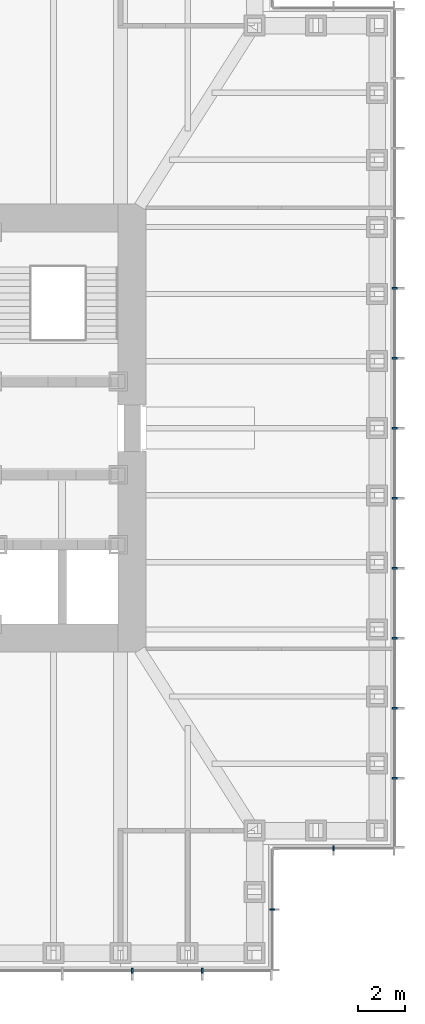
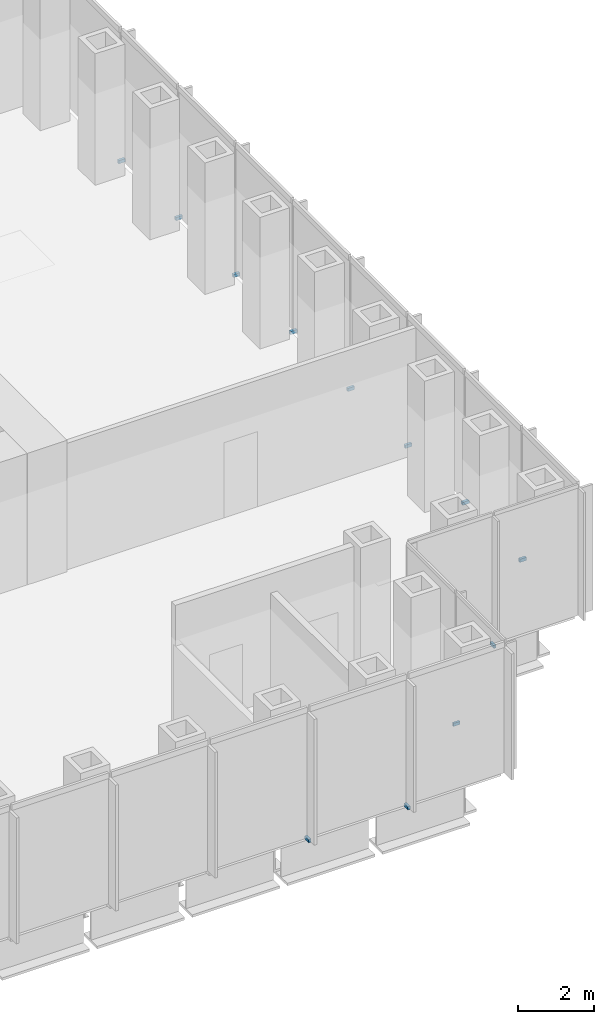
# One storey, part 13 of 16: 12 discrete accessories.
"""IFC4 building model written with IfcOpenShell, lengths in metres."""

from ifc_helpers import new_model, si_unit, direction, frame, origin, origin_2d, place, context, subcontext, project, spatial, rectangle, extrude, element, save


model = new_model("IFC4")

# Units and contexts
model_context = context("Model", 3, precision=1e-05, world=origin(), true_north=direction((0.0, 1.0)))
body_context = subcontext(model_context, "Body", "Model", "MODEL_VIEW")
ifc_project = project(units=[si_unit("LENGTHUNIT", "METRE"), si_unit("AREAUNIT", "SQUARE_METRE"), si_unit("VOLUMEUNIT", "CUBIC_METRE"), si_unit("PLANEANGLEUNIT", "RADIAN"), si_unit("MASSUNIT", "GRAM", prefix="KILO")], contexts=[model_context])

# Site, building, storey
site_placement = place(None, origin())
site = spatial("IfcSite", under=ifc_project, at=site_placement, CompositionType="ELEMENT")
building_placement = place(site_placement, origin())
building = spatial("IfcBuilding", under=site, at=building_placement, Name="Daluyong Arena Tower", CompositionType="ELEMENT")
storey_placement = place(building_placement, frame((0.0, 0.0, 116.5)))
storey = spatial("IfcBuildingStorey", under=building, at=storey_placement, Name="L25", CompositionType="ELEMENT", Elevation=116.5)

# Discrete accessories
for number, where, z_axis, x_axis, name in (
    (1, (68.0, 56.75, -0.10009765625), (0.0, 0.0, 1.0), (1.0, 0.0, 0.0), "curtain wall L25 S anchor bracket 11"),
    (2, (71.0, 56.75, -0.10009765625), (0.0, 0.0, 1.0), (1.0, 0.0, 0.0), "curtain wall L25 S anchor bracket 12"),
):
    element("IfcDiscreteAccessory", number, at=place(storey_placement, frame(where, z_axis=z_axis, x_axis=x_axis)), inside=storey, Name=name, PredefinedType="BRACKET", context=body_context, shape_type="SweptSolid", body=[
        extrude(rectangle(XDim=0.080078125, YDim=0.199951171875, at=origin_2d()), origin(), (0.0, 0.0, 1.0), 0.10009765625),
    ])
for number, where, z_axis, x_axis, name in (
    (3, (74.0, 59.375, -0.10009765625), (0.0, 0.0, 1.0), (0.0, 1.0, 0.0), "curtain wall L25 SE-E anchor bracket 2"),
    (4, (76.625, 62.0, -0.10009765625), (0.0, 0.0, 1.0), (1.0, 0.0, 0.0), "curtain wall L25 SE-S anchor bracket 2"),
):
    element("IfcDiscreteAccessory", number, at=place(storey_placement, frame(where, z_axis=z_axis, x_axis=x_axis)), inside=storey, Name=name, PredefinedType="BRACKET", context=body_context, shape_type="SweptSolid", body=[
        extrude(rectangle(XDim=0.06005859375, YDim=0.199951171875, at=origin_2d()), origin(), (0.0, 0.0, 1.0), 0.10009765625),
    ])
for number, where, z_axis, x_axis, name in (
    (5, (79.25, 65.0, -0.10009765625), (0.0, 0.0, 1.0), (0.0, 1.0, 0.0), "curtain wall L25 E anchor bracket 2"),
    (6, (79.25, 68.0, -0.10009765625), (0.0, 0.0, 1.0), (0.0, 1.0, 0.0), "curtain wall L25 E anchor bracket 3"),
    (7, (79.25, 71.0, -0.10009765625), (0.0, 0.0, 1.0), (0.0, 1.0, 0.0), "curtain wall L25 E anchor bracket 4"),
    (8, (79.25, 74.0, -0.10009765625), (0.0, 0.0, 1.0), (0.0, 1.0, 0.0), "curtain wall L25 E anchor bracket 5"),
    (9, (79.25, 77.0, -0.10009765625), (0.0, 0.0, 1.0), (0.0, 1.0, 0.0), "curtain wall L25 E anchor bracket 6"),
    (10, (79.25, 80.0, -0.10009765625), (0.0, 0.0, 1.0), (0.0, 1.0, 0.0), "curtain wall L25 E anchor bracket 7"),
    (11, (79.25, 83.0, -0.10009765625), (0.0, 0.0, 1.0), (0.0, 1.0, 0.0), "curtain wall L25 E anchor bracket 8"),
    (12, (79.25, 86.0, -0.10009765625), (0.0, 0.0, 1.0), (0.0, 1.0, 0.0), "curtain wall L25 E anchor bracket 9"),
):
    element("IfcDiscreteAccessory", number, at=place(storey_placement, frame(where, z_axis=z_axis, x_axis=x_axis)), inside=storey, Name=name, PredefinedType="BRACKET", context=body_context, shape_type="SweptSolid", body=[
        extrude(rectangle(XDim=0.080078125, YDim=0.199951171875, at=origin_2d()), origin(), (0.0, 0.0, 1.0), 0.10009765625),
    ])

save(model, "model.ifc")
